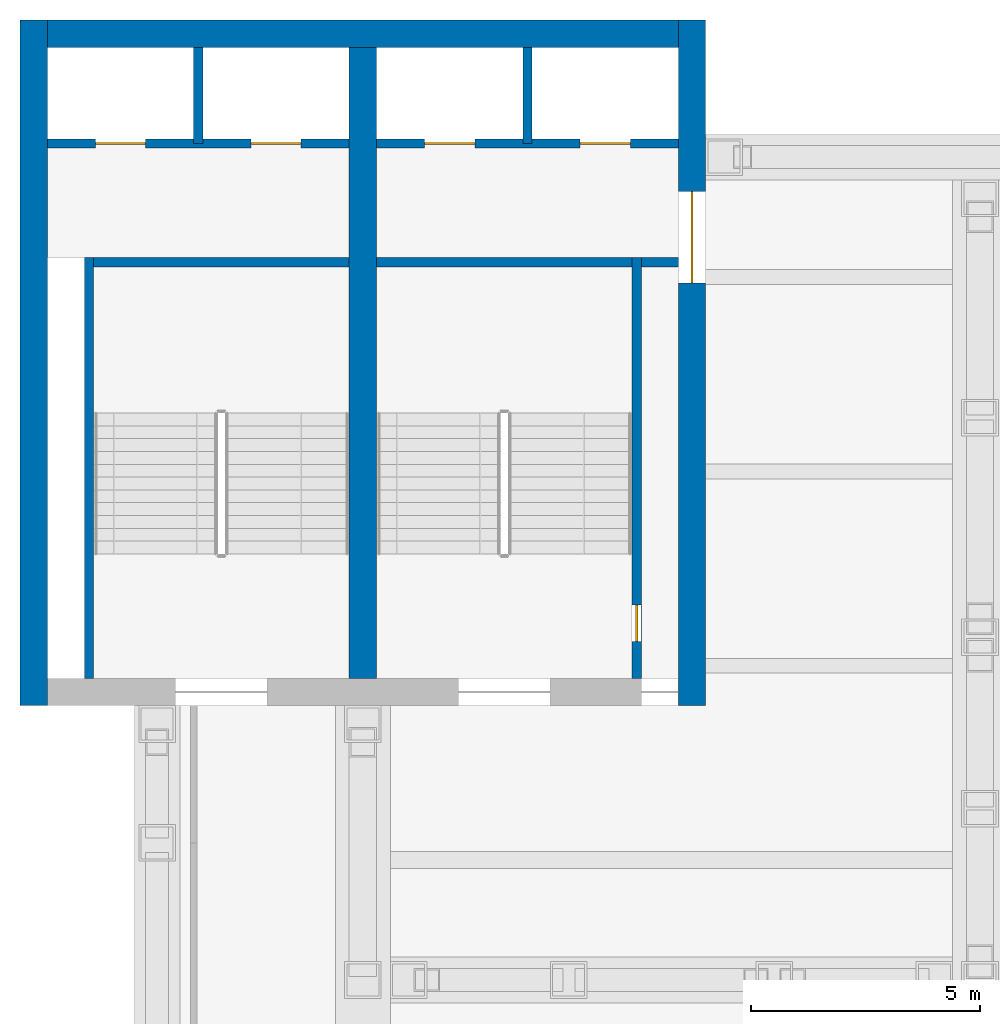
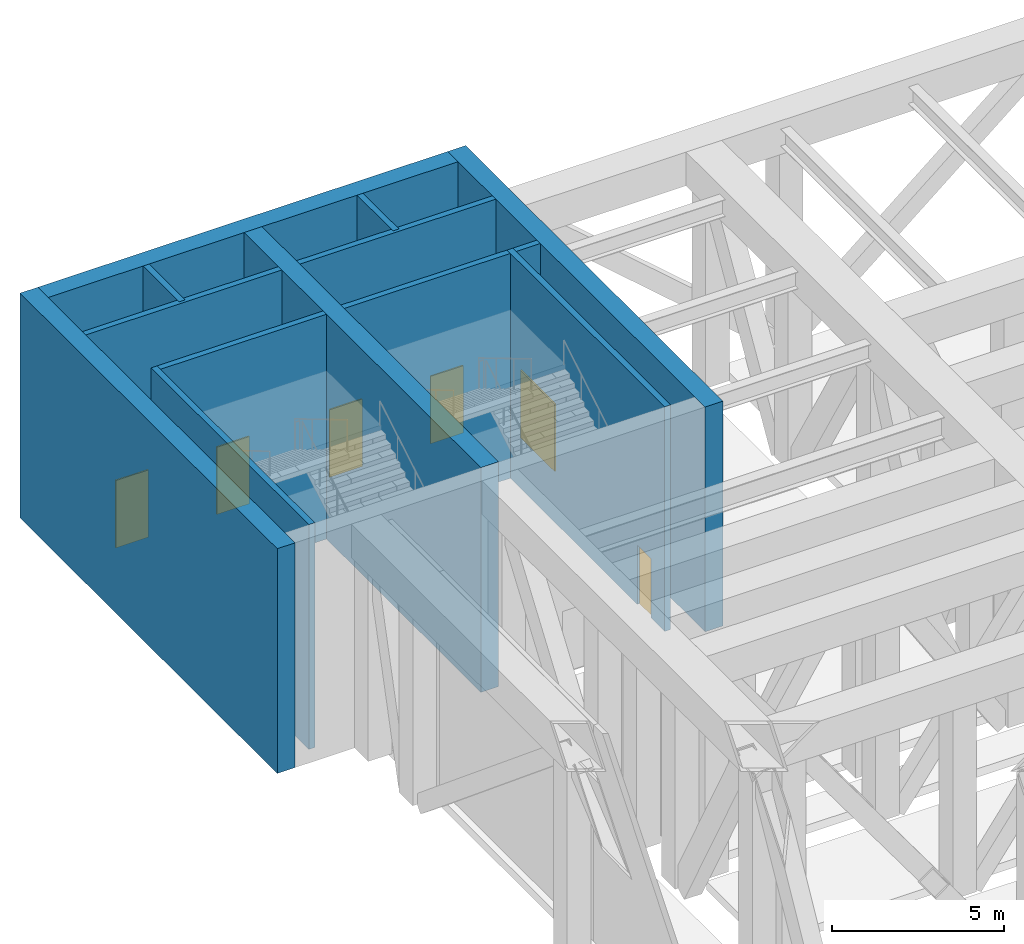
# One storey, part 10 of 20: 13 walls, 6 doors, 6 openings.
"""IFC4 building model written with IfcOpenShell, lengths in metres."""

from ifc_helpers import new_model, si_unit, direction, frame, frame_2d, origin, place, context, subcontext, project, spatial, rectangle, extrude, material, layer, layer_set, type_object, element, fill, save


model = new_model("IFC4")

# Units and contexts
model_context = context("Model", 3, precision=1e-05, world=origin(), true_north=direction((0.0, 1.0)))
body_context = subcontext(model_context, "Body", "Model", "MODEL_VIEW")
ifc_project = project(units=[si_unit("LENGTHUNIT", "METRE"), si_unit("AREAUNIT", "SQUARE_METRE"), si_unit("VOLUMEUNIT", "CUBIC_METRE"), si_unit("PLANEANGLEUNIT", "RADIAN"), si_unit("MASSUNIT", "GRAM", prefix="KILO")], contexts=[model_context])

# Site, building, storey
site_placement = place(None, origin())
site = spatial("IfcSite", under=ifc_project, at=site_placement, CompositionType="ELEMENT")
building_placement = place(site_placement, origin())
building = spatial("IfcBuilding", under=site, at=building_placement, Name="Corbelhall Arena Tower", CompositionType="ELEMENT")
storey_placement = place(building_placement, frame((0.0, 0.0, 44.0)))
storey = spatial("IfcBuildingStorey", under=building, at=storey_placement, Name="L06", CompositionType="ELEMENT", Elevation=44.0)

# Wall
ifc_material_1 = material(Name="Gypsum board on steel studs", Category="steel")
ifc_layer_1 = layer(ifc_material_1, 0.199951171875)
ifc_layer_set_1 = layer_set([ifc_layer_1], Name="AR-ROOM-WALL")
wall_type_1 = type_object("IfcWallType", Name="AR-ROOM-WALL", PredefinedType="PARTITIONING", material=ifc_layer_set_1)
wall_1_placement = place(storey_placement, frame((-34.409912109375, 33.699951171875, 0.0), z_axis=(0.0, 0.0, 1.0), x_axis=(1.0, 0.0, 0.0)))
element("IfcWall", 1, at=wall_1_placement, inside=storey, type_object=wall_type_1, Name="Mechanical plant room 02 wall", PredefinedType="PARTITIONING", context=body_context, shape_type="SweptSolid", body=[
    extrude(rectangle(XDim=0.809814453125, YDim=0.199951171875, at=frame_2d((0.40478515625, 0.0))), origin(), (0.0, 0.0, 1.0), 8.0),
])

# Wall, openings, doors
ifc_material_2 = material(Name="Reinforced concrete C40/50", Category="concrete")
ifc_layer_2 = layer(ifc_material_2, 0.199951171875)
ifc_layer_set_2 = layer_set([ifc_layer_2], Name="AR-SHAFT-WALL")
wall_type_2 = type_object("IfcWallType", Name="AR-SHAFT-WALL", PredefinedType="SHEAR", material=ifc_layer_set_2)
wall_2_placement = place(storey_placement, frame((-47.39990234375, 36.300048828125, 0.0), z_axis=(0.0, 0.0, 1.0), x_axis=(1.0, 0.0, 0.0)))
wall_2 = element("IfcWall", 2, at=wall_2_placement, inside=storey, type_object=wall_type_2, Name="Lift lobby wall NW", PredefinedType="SHEAR", context=body_context, shape_type="SweptSolid", body=[
    extrude(rectangle(XDim=6.599853515625, YDim=0.199951171875, at=frame_2d((3.2998046875, 0.0))), origin(), (0.0, 0.0, 1.0), 8.0),
])
opening_1_placement = place(wall_2_placement, frame((1.050048828125, 0.0, 0.0)))
opening_1 = element("IfcOpeningElement", 3, at=opening_1_placement, cuts=wall_2, Name="Opening LD0191", PredefinedType="OPENING", context=body_context, shape_type="SweptSolid", body=[
    extrude(rectangle(XDim=1.10009765625, YDim=2.39990234375, at=frame_2d((0.550048828125, 1.199951171875))), frame((0.0, 0.10009765625, 0.0), z_axis=(0.0, -1.0, 0.0), x_axis=(1.0, 0.0, 0.0)), (0.0, 0.0, 1.0), 0.199951171875),
])
opening_2_placement = place(wall_2_placement, frame((4.449951171875, 0.0, 0.0)))
opening_2 = element("IfcOpeningElement", 4, at=opening_2_placement, cuts=wall_2, Name="Opening LD0192", PredefinedType="OPENING", context=body_context, shape_type="SweptSolid", body=[
    extrude(rectangle(XDim=1.10009765625, YDim=2.39990234375, at=frame_2d((0.550048828125, 1.199951171875))), frame((0.0, 0.10009765625, 0.0), z_axis=(0.0, -1.0, 0.0), x_axis=(1.0, 0.0, 0.0)), (0.0, 0.0, 1.0), 0.199951171875),
])
ifc_material_3 = material(Name="Stainless steel A4", Category="steel")
door_type_1 = type_object("IfcDoorType", Name="AR-LANDING-DOOR", OperationType="DOUBLE_DOOR_SLIDING", PredefinedType="DOOR", material=ifc_material_3)
door_1_placement = place(opening_1_placement, origin())
door_1 = element("IfcDoor", 5, at=door_1_placement, inside=storey, type_object=door_type_1, Name="Landing door NW LF3 L06", OperationType="DOUBLE_DOOR_SLIDING", OverallHeight=2.39990234375, OverallWidth=1.10009765625, PredefinedType="DOOR", context=body_context, shape_type="SweptSolid", body=[
    extrude(rectangle(XDim=1.10009765625, YDim=2.39990234375, at=frame_2d((0.550048828125, 1.199951171875))), frame((0.0, 0.02490234375, 0.0), z_axis=(0.0, -1.0, 0.0), x_axis=(1.0, 0.0, 0.0)), (0.0, 0.0, 1.0), 0.050048828125),
])
fill(opening_1, door_1)
door_2_placement = place(opening_2_placement, origin())
door_2 = element("IfcDoor", 6, at=door_2_placement, inside=storey, type_object=door_type_1, Name="Landing door NW LF4 L06", OperationType="DOUBLE_DOOR_SLIDING", OverallHeight=2.39990234375, OverallWidth=1.10009765625, PredefinedType="DOOR", context=body_context, shape_type="SweptSolid", body=[
    extrude(rectangle(XDim=1.10009765625, YDim=2.39990234375, at=frame_2d((0.550048828125, 1.199951171875))), frame((0.0, 0.02490234375, 0.0), z_axis=(0.0, -1.0, 0.0), x_axis=(1.0, 0.0, 0.0)), (0.0, 0.0, 1.0), 0.050048828125),
])
fill(opening_2, door_2)

wall_3_placement = place(storey_placement, frame((-40.199951171875, 36.300048828125, 0.0), z_axis=(0.0, 0.0, 1.0), x_axis=(1.0, 0.0, 0.0)))
wall_3 = element("IfcWall", 7, at=wall_3_placement, inside=storey, type_object=wall_type_2, Name="Lift lobby wall NW", PredefinedType="SHEAR", context=body_context, shape_type="SweptSolid", body=[
    extrude(rectangle(XDim=6.599853515625, YDim=0.199951171875, at=frame_2d((3.2998046875, 0.0))), origin(), (0.0, 0.0, 1.0), 8.0),
])
opening_3_placement = place(wall_3_placement, frame((1.050048828125, 0.0, 0.0)))
opening_3 = element("IfcOpeningElement", 8, at=opening_3_placement, cuts=wall_3, Name="Opening LD0193", PredefinedType="OPENING", context=body_context, shape_type="SweptSolid", body=[
    extrude(rectangle(XDim=1.10009765625, YDim=2.39990234375, at=frame_2d((0.550048828125, 1.199951171875))), frame((0.0, 0.10009765625, 0.0), z_axis=(0.0, -1.0, 0.0), x_axis=(1.0, 0.0, 0.0)), (0.0, 0.0, 1.0), 0.199951171875),
])
opening_4_placement = place(wall_3_placement, frame((4.449951171875, 0.0, 0.0)))
opening_4 = element("IfcOpeningElement", 9, at=opening_4_placement, cuts=wall_3, Name="Opening LD0194", PredefinedType="OPENING", context=body_context, shape_type="SweptSolid", body=[
    extrude(rectangle(XDim=1.10009765625, YDim=2.39990234375, at=frame_2d((0.550048828125, 1.199951171875))), frame((0.0, 0.10009765625, 0.0), z_axis=(0.0, -1.0, 0.0), x_axis=(1.0, 0.0, 0.0)), (0.0, 0.0, 1.0), 0.199951171875),
])
door_3_placement = place(opening_3_placement, origin())
door_3 = element("IfcDoor", 10, at=door_3_placement, inside=storey, type_object=door_type_1, Name="Landing door NW LF1 L06", OperationType="DOUBLE_DOOR_SLIDING", OverallHeight=2.39990234375, OverallWidth=1.10009765625, PredefinedType="DOOR", context=body_context, shape_type="SweptSolid", body=[
    extrude(rectangle(XDim=1.10009765625, YDim=2.39990234375, at=frame_2d((0.550048828125, 1.199951171875))), frame((0.0, 0.02490234375, 0.0), z_axis=(0.0, -1.0, 0.0), x_axis=(1.0, 0.0, 0.0)), (0.0, 0.0, 1.0), 0.050048828125),
])
fill(opening_3, door_3)
door_4_placement = place(opening_4_placement, origin())
door_4 = element("IfcDoor", 11, at=door_4_placement, inside=storey, type_object=door_type_1, Name="Landing door NW LF2 L06", OperationType="DOUBLE_DOOR_SLIDING", OverallHeight=2.39990234375, OverallWidth=1.10009765625, PredefinedType="DOOR", context=body_context, shape_type="SweptSolid", body=[
    extrude(rectangle(XDim=1.10009765625, YDim=2.39990234375, at=frame_2d((0.550048828125, 1.199951171875))), frame((0.0, 0.02490234375, 0.0), z_axis=(0.0, -1.0, 0.0), x_axis=(1.0, 0.0, 0.0)), (0.0, 0.0, 1.0), 0.050048828125),
])
fill(opening_4, door_4)

# Walls
for number, where, z_axis, x_axis, name in (
    (12, (-36.89990234375, 36.300048828125, 0.0), (0.0, 0.0, 1.0), (0.0, 1.0, 0.0), "Shaft wall NW"),
    (13, (-44.10009765625, 36.300048828125, 0.0), (0.0, 0.0, 1.0), (0.0, 1.0, 0.0), "Shaft wall NW"),
):
    element("IfcWall", number, at=place(storey_placement, frame(where, z_axis=z_axis, x_axis=x_axis)), inside=storey, type_object=wall_type_2, Name=name, PredefinedType="SHEAR", context=body_context, shape_type="SweptSolid", body=[
        extrude(rectangle(XDim=2.099853515625, YDim=0.199951171875, at=frame_2d((1.0498046875, 0.0))), origin(), (0.0, 0.0, 1.0), 8.0),
    ])

# Wall, opening, door
ifc_layer_3 = layer(ifc_material_2, 0.199951171875)
ifc_layer_set_3 = layer_set([ifc_layer_3], Name="AR-STAIR-WALL")
wall_type_3 = type_object("IfcWallType", Name="AR-STAIR-WALL", PredefinedType="SOLIDWALL", material=ifc_layer_set_3)
wall_4_placement = place(storey_placement, frame((-34.510009765625, 24.60009765625, 0.0), z_axis=(0.0, 0.0, 1.0), x_axis=(0.0, 1.0, 0.0)))
wall_4 = element("IfcWall", 14, at=wall_4_placement, inside=storey, type_object=wall_type_3, Name="Stair AS3 wall", PredefinedType="SOLIDWALL", context=body_context, shape_type="SweptSolid", body=[
    extrude(rectangle(XDim=9.199951171875, YDim=0.199951171875, at=frame_2d((4.60009765625, 0.0))), origin(), (0.0, 0.0, 1.0), 8.0),
])
opening_5_placement = place(wall_4_placement, frame((0.800048828125, 0.0, 0.0)))
opening_5 = element("IfcOpeningElement", 15, at=opening_5_placement, cuts=wall_4, Name="Opening DA0462", PredefinedType="OPENING", context=body_context, shape_type="SweptSolid", body=[
    extrude(rectangle(XDim=0.800048828125, YDim=2.10009765625, at=frame_2d((0.39990234375, 1.050048828125))), frame((0.0, 0.10009765625, 0.0), z_axis=(0.0, -1.0, 0.0), x_axis=(1.0, 0.0, 0.0)), (0.0, 0.0, 1.0), 0.199951171875),
])
ifc_material_4 = material(Name="Steel", Category="steel")
door_type_2 = type_object("IfcDoorType", Name="AR-PLANT-DOOR", OperationType="SINGLE_SWING_LEFT", PredefinedType="DOOR", material=ifc_material_4)
door_5_placement = place(opening_5_placement, origin())
door_5 = element("IfcDoor", 16, at=door_5_placement, inside=storey, type_object=door_type_2, Name="Mechanical plant room 02 stair door", OperationType="SINGLE_SWING_LEFT", OverallHeight=2.10009765625, OverallWidth=0.800048828125, PredefinedType="DOOR", context=body_context, shape_type="SweptSolid", body=[
    extrude(rectangle(XDim=0.800048828125, YDim=2.10009765625, at=frame_2d((0.39990234375, 1.050048828125))), frame((0.0, 0.02490234375, 0.0), z_axis=(0.0, -1.0, 0.0), x_axis=(1.0, 0.0, 0.0)), (0.0, 0.0, 1.0), 0.050048828125),
])
fill(opening_5, door_5)

# Walls
wall_5_placement = place(storey_placement, frame((-40.199951171875, 33.699951171875, 0.0), z_axis=(0.0, 0.0, 1.0), x_axis=(1.0, 0.0, 0.0)))
element("IfcWall", 17, at=wall_5_placement, inside=storey, type_object=wall_type_3, Name="Stair AS3 wall", PredefinedType="SOLIDWALL", context=body_context, shape_type="SweptSolid", body=[
    extrude(rectangle(XDim=5.58984375, YDim=0.199951171875, at=frame_2d((2.794921875, 0.0))), origin(), (0.0, 0.0, 1.0), 8.0),
])
wall_6_placement = place(storey_placement, frame((-46.489990234375, 24.60009765625, 0.0), z_axis=(0.0, 0.0, 1.0), x_axis=(0.0, 1.0, 0.0)))
element("IfcWall", 18, at=wall_6_placement, inside=storey, type_object=wall_type_3, Name="Stair AS4 wall", PredefinedType="SOLIDWALL", context=body_context, shape_type="SweptSolid", body=[
    extrude(rectangle(XDim=9.199951171875, YDim=0.199951171875, at=frame_2d((4.60009765625, 0.0))), origin(), (0.0, 0.0, 1.0), 8.0),
])
wall_7_placement = place(storey_placement, frame((-46.389892578125, 33.699951171875, 0.0), z_axis=(0.0, 0.0, 1.0), x_axis=(1.0, 0.0, 0.0)))
element("IfcWall", 19, at=wall_7_placement, inside=storey, type_object=wall_type_3, Name="Stair AS4 wall", PredefinedType="SOLIDWALL", context=body_context, shape_type="SweptSolid", body=[
    extrude(rectangle(XDim=5.58984375, YDim=0.199951171875, at=frame_2d((2.794921875, 0.0))), origin(), (0.0, 0.0, 1.0), 8.0),
])
ifc_material_5 = material(Name="Concrete C80/95", Category="concrete")
ifc_layer_4 = layer(ifc_material_5, 0.60009765625)
ifc_layer_set_4 = layer_set([ifc_layer_4], Name="PO-CORE-WALL")
wall_type_4 = type_object("IfcWallType", Name="PO-CORE-WALL", PredefinedType="SHEAR", material=ifc_layer_set_4)
wall_8_placement = place(storey_placement, frame((-47.39990234375, 38.699951171875, 0.0), z_axis=(0.0, 0.0, 1.0), x_axis=(1.0, 0.0, 0.0)))
element("IfcWall", 20, at=wall_8_placement, inside=storey, type_object=wall_type_4, Name="CORE NW WALL N L06", PredefinedType="SHEAR", context=body_context, shape_type="SweptSolid", body=[
    extrude(rectangle(XDim=13.7998046875, YDim=0.60009765625, at=frame_2d((6.89990234375, 0.0))), origin(), (0.0, 0.0, 1.0), 8.0),
])
wall_9_placement = place(storey_placement, frame((-47.699951171875, 24.0, 0.0), z_axis=(0.0, 0.0, 1.0), x_axis=(0.0, 1.0, 0.0)))
element("IfcWall", 21, at=wall_9_placement, inside=storey, type_object=wall_type_4, Name="CORE NW WALL W L06", PredefinedType="SHEAR", context=body_context, shape_type="SweptSolid", body=[
    extrude(rectangle(XDim=15.0, YDim=0.60009765625, at=frame_2d((7.5, 0.0))), origin(), (0.0, 0.0, 1.0), 8.0),
])

# Wall, opening, door
wall_10_placement = place(storey_placement, frame((-33.300048828125, 24.0, 0.0), z_axis=(0.0, 0.0, 1.0), x_axis=(0.0, 1.0, 0.0)))
wall_10 = element("IfcWall", 22, at=wall_10_placement, inside=storey, type_object=wall_type_4, Name="CORE NW WALL E L06", PredefinedType="SHEAR", context=body_context, shape_type="SweptSolid", body=[
    extrude(rectangle(XDim=15.0, YDim=0.60009765625, at=frame_2d((7.5, 0.0))), origin(), (0.0, 0.0, 1.0), 8.0),
])
opening_6_placement = place(wall_10_placement, frame((9.25, 0.0, 0.0)))
opening_6 = element("IfcOpeningElement", 23, at=opening_6_placement, cuts=wall_10, Name="Opening DA0195", PredefinedType="OPENING", context=body_context, shape_type="SweptSolid", body=[
    extrude(rectangle(XDim=2.0, YDim=2.39990234375, at=frame_2d((1.0, 1.199951171875))), frame((0.0, 0.300048828125, 0.0), z_axis=(0.0, -1.0, 0.0), x_axis=(1.0, 0.0, 0.0)), (0.0, 0.0, 1.0), 0.60009765625),
])
ifc_material_6 = material(Name="Steel and glass", Category="steel")
door_type_3 = type_object("IfcDoorType", Name="AR-CORE-DOOR", OperationType="DOUBLE_DOOR_SINGLE_SWING", PredefinedType="DOOR", material=ifc_material_6)
door_6_placement = place(opening_6_placement, origin())
door_6 = element("IfcDoor", 24, at=door_6_placement, inside=storey, type_object=door_type_3, Name="Core lobby door NW L06", OperationType="DOUBLE_DOOR_SINGLE_SWING", OverallHeight=2.39990234375, OverallWidth=2.0, PredefinedType="DOOR", context=body_context, shape_type="SweptSolid", body=[
    extrude(rectangle(XDim=2.0, YDim=2.39990234375, at=frame_2d((1.0, 1.199951171875))), frame((0.0, 0.02490234375, 0.0), z_axis=(0.0, -1.0, 0.0), x_axis=(1.0, 0.0, 0.0)), (0.0, 0.0, 1.0), 0.050048828125),
])
fill(opening_6, door_6)

# Wall
wall_11_placement = place(storey_placement, frame((-40.5, 24.60009765625, 0.0), z_axis=(0.0, 0.0, 1.0), x_axis=(0.0, 1.0, 0.0)))
element("IfcWall", 25, at=wall_11_placement, inside=storey, type_object=wall_type_4, Name="CORE NW WALL D L06", PredefinedType="SHEAR", context=body_context, shape_type="SweptSolid", body=[
    extrude(rectangle(XDim=13.7998046875, YDim=0.60009765625, at=frame_2d((6.89990234375, 0.0))), origin(), (0.0, 0.0, 1.0), 8.0),
])

save(model, "model.ifc")
